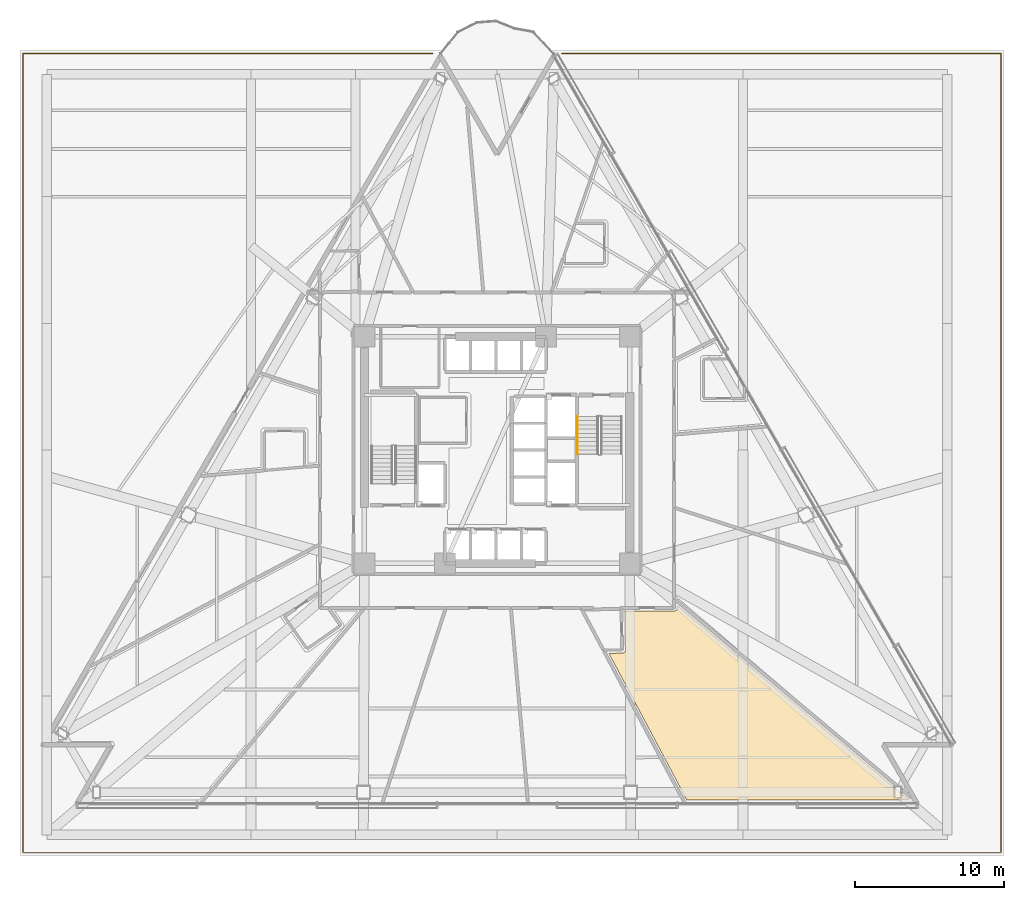
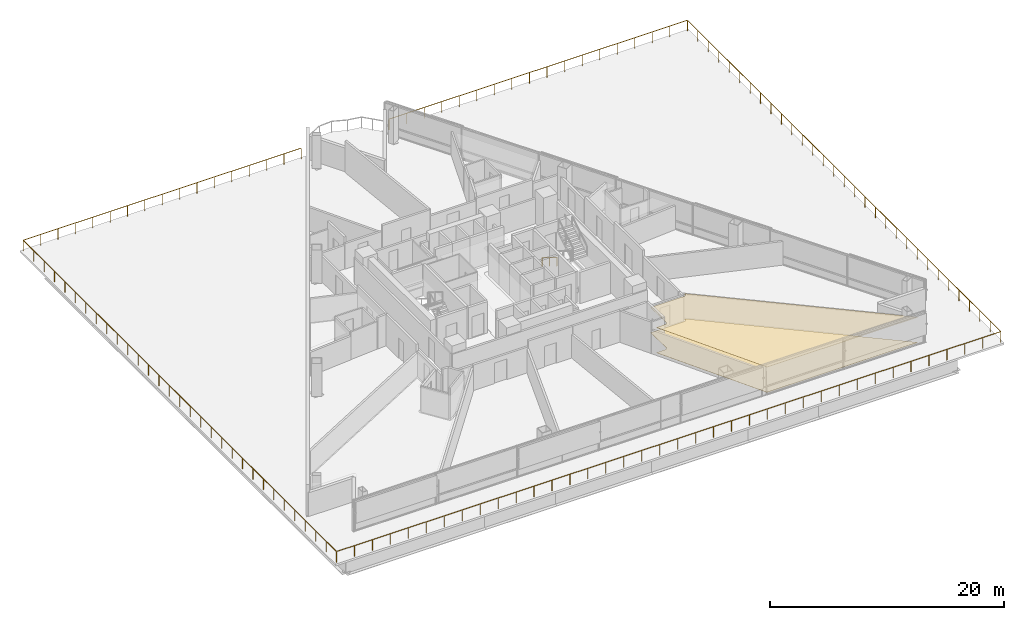
# One storey, part 17 of 19: 2 coverings, 2 railings.
"""IFC4 building model written with IfcOpenShell, lengths in metres."""

from ifc_helpers import new_model, si_unit, direction, frame, origin, origin_2d, place, context, subcontext, project, spatial, polyline, rectangle, outline, extrude, material, layer, layer_set, type_object, element, save


model = new_model("IFC4")

# Units and contexts
model_context = context("Model", 3, precision=1e-05, world=origin(), true_north=direction((0.0, 1.0)))
body_context = subcontext(model_context, "Body", "Model", "MODEL_VIEW")
ifc_project = project(units=[si_unit("LENGTHUNIT", "METRE"), si_unit("AREAUNIT", "SQUARE_METRE"), si_unit("VOLUMEUNIT", "CUBIC_METRE"), si_unit("PLANEANGLEUNIT", "RADIAN"), si_unit("MASSUNIT", "GRAM", prefix="KILO")], contexts=[model_context])

# Site, building, storey
site_placement = place(None, origin())
site = spatial("IfcSite", under=ifc_project, at=site_placement, CompositionType="ELEMENT")
building_placement = place(site_placement, origin())
building = spatial("IfcBuilding", under=site, at=building_placement, Name="Tharavind Bronze Gate", CompositionType="ELEMENT")
storey_placement = place(building_placement, frame((0.0, 0.0, 31.800048828125)))
storey = spatial("IfcBuildingStorey", under=building, at=storey_placement, Name="L06", CompositionType="ELEMENT", Elevation=31.800048828125)

# Coverings
ifc_material_1 = material(Name="Engineered Oak & Carpet Tile", Category="wood")
ifc_layer_1 = layer(ifc_material_1, 0.02490234375)
ifc_layer_set_1 = layer_set([ifc_layer_1], Name="Engineered Oak & Carpet Tile")
covering_type_1 = type_object("IfcCoveringType", Name="ENGINEERED TIMBER FLOORING", PredefinedType="FLOORING", material=ifc_layer_set_1)
covering_1_placement = place(storey_placement, origin())
element("IfcCovering", 1, at=covering_1_placement, inside=storey, type_object=covering_type_1, Name="L06-RM-14 floor finish", PredefinedType="FLOORING", context=body_context, shape_type="SweptSolid", body=[
    extrude(outline(polyline([(8.612060546875, -13.393798828125), (8.611328125, -13.415283203125), (8.608642578125, -13.436767578125), (8.603759765625, -13.4580078125), (8.596923828125, -13.478271484375), (8.588134765625, -13.498046875), (8.577392578125, -13.516845703125), (8.564697265625, -13.534423828125), (8.55078125, -13.550537109375), (8.534912109375, -13.5654296875), (8.517822265625, -13.57861328125), (8.49951171875, -13.590087890625), (8.480224609375, -13.599609375), (8.4599609375, -13.607421875), (8.439208984375, -13.613037109375), (8.41796875, -13.61669921875), (8.396484375, -13.6181640625), (7.499267578125, -13.635498046875), (12.733642578125, -23.47998046875), (27.64013671875, -23.47998046875), (12.10009765625, -10.440185546875), (12.10009765625, -10.579345703125), (12.099609375, -10.590087890625), (12.099609375, -10.5908203125), (12.09765625, -10.6123046875), (12.093505859375, -10.63330078125), (12.087158203125, -10.654052734375), (12.078857421875, -10.674072265625), (12.068603515625, -10.693115234375), (12.056640625, -10.7109375), (12.04296875, -10.727783203125), (12.027587890625, -10.742919921875), (12.010986328125, -10.756591796875), (11.9931640625, -10.768798828125), (11.97412109375, -10.77880859375), (11.9541015625, -10.787109375), (11.933349609375, -10.79345703125), (11.912353515625, -10.797607421875), (11.890869140625, -10.7998046875), (11.89013671875, -10.7998046875), (11.87939453125, -10.800048828125), (8.561767578125, -10.800048828125), (8.612060546875, -13.393798828125)])), origin(), (0.0, 0.0, 1.0), 0.02490234375),
])
ifc_material_2 = material(Name="Acoustic Gypsum Board", Category="gypsum")
ifc_layer_2 = layer(ifc_material_2, 0.030029296875)
ifc_layer_set_2 = layer_set([ifc_layer_2], Name="Acoustic Gypsum Board")
covering_type_2 = type_object("IfcCoveringType", Name="GYPSUM SUSPENDED CEILING", PredefinedType="CEILING", material=ifc_layer_set_2)
covering_2_placement = place(storey_placement, frame((0.0, 0.0, 2.625)))
element("IfcCovering", 2, at=covering_2_placement, inside=storey, type_object=covering_type_2, Name="L06-RM-14 suspended ceiling", PredefinedType="CEILING", context=body_context, shape_type="SweptSolid", body=[
    extrude(outline(polyline([(8.612060546875, -13.393798828125), (8.611328125, -13.415283203125), (8.608642578125, -13.436767578125), (8.603759765625, -13.4580078125), (8.596923828125, -13.478271484375), (8.588134765625, -13.498046875), (8.577392578125, -13.516845703125), (8.564697265625, -13.534423828125), (8.55078125, -13.550537109375), (8.534912109375, -13.5654296875), (8.517822265625, -13.57861328125), (8.49951171875, -13.590087890625), (8.480224609375, -13.599609375), (8.4599609375, -13.607421875), (8.439208984375, -13.613037109375), (8.41796875, -13.61669921875), (8.396484375, -13.6181640625), (7.499267578125, -13.635498046875), (12.733642578125, -23.47998046875), (27.64013671875, -23.47998046875), (12.10009765625, -10.440185546875), (12.10009765625, -10.579345703125), (12.099609375, -10.590087890625), (12.099609375, -10.5908203125), (12.09765625, -10.6123046875), (12.093505859375, -10.63330078125), (12.087158203125, -10.654052734375), (12.078857421875, -10.674072265625), (12.068603515625, -10.693115234375), (12.056640625, -10.7109375), (12.04296875, -10.727783203125), (12.027587890625, -10.742919921875), (12.010986328125, -10.756591796875), (11.9931640625, -10.768798828125), (11.97412109375, -10.77880859375), (11.9541015625, -10.787109375), (11.933349609375, -10.79345703125), (11.912353515625, -10.797607421875), (11.890869140625, -10.7998046875), (11.89013671875, -10.7998046875), (11.87939453125, -10.800048828125), (8.561767578125, -10.800048828125), (8.612060546875, -13.393798828125)])), origin(), (0.0, 0.0, 1.0), 0.034912109375),
])

# Railings
ifc_material_3 = material(Name="Brushed Bronze Alloy", Category="metal")
railing_type_1 = type_object("IfcRailingType", Name="STAIR BRONZE HANDRAIL 900", PredefinedType="HANDRAIL", material=ifc_material_3)
railing_1_placement = place(storey_placement, frame((5.39990234375, 2.25, 0.17236328125)))
element("IfcRailing", 3, at=railing_1_placement, inside=storey, type_object=railing_type_1, Name="L06 ST2 stair handrail 1", PredefinedType="HANDRAIL", context=body_context, shape_type="SweptSolid", body=[
    extrude(rectangle(XDim=0.048095703125, YDim=0.048095703125, at=origin_2d()), frame((0.0, -0.02734375, 0.892578125), z_axis=(0.0, -0.851400495292, 0.524516154772), x_axis=(1.0, 0.0, 0.0)), (0.0, 0.0, 1.0), 2.895751953125),
    extrude(rectangle(XDim=0.0400390625, YDim=0.0400390625, at=origin_2d()), origin(), (0.0, 0.0, 1.0), 0.847900390625),
    extrude(rectangle(XDim=0.0400390625, YDim=0.0400390625, at=origin_2d()), frame((0.0, -1.260009765625, 0.7763671875)), (0.0, 0.0, 1.0), 0.847900390625),
    extrude(rectangle(XDim=0.0400390625, YDim=0.0400390625, at=origin_2d()), frame((0.0, -2.52001953125, 1.552490234375)), (0.0, 0.0, 1.0), 0.847900390625),
])
ifc_material_4 = material(Name="Bronze Cap & Laminated Glass", Category="glass")
railing_type_2 = type_object("IfcRailingType", Name="TERRACE GLASS GUARD RAILING 1150", PredefinedType="GUARDRAIL", material=ifc_material_4)
railing_2_placement = place(storey_placement, frame((4.330078125, 26.60009765625, 0.0)))
element("IfcRailing", 4, at=railing_2_placement, inside=storey, type_object=railing_type_2, Name="L06 sky garden outer edge guard railing 1", PredefinedType="GUARDRAIL", context=body_context, shape_type="SweptSolid", body=[
    extrude(rectangle(XDim=0.048095703125, YDim=0.048095703125, at=origin_2d()), frame((0.031982421875, 0.0, 1.1259765625), z_axis=(1.0, 0.0, 0.0), x_axis=(0.0, 1.0, 0.0)), (0.0, 0.0, 1.0), 29.406005859375),
    extrude(rectangle(XDim=0.048095703125, YDim=0.048095703125, at=origin_2d()), frame((29.469970703125, -0.031982421875, 1.1259765625), z_axis=(0.0, -1.0, 0.0), x_axis=(1.0, 0.0, 0.0)), (0.0, 0.0, 1.0), 53.5361328125),
    extrude(rectangle(XDim=0.048095703125, YDim=0.048095703125, at=origin_2d()), frame((29.43798828125, -53.60009765625, 1.1259765625), z_axis=(-1.0, 0.0, 0.0), x_axis=(0.0, -1.0, 0.0)), (0.0, 0.0, 1.0), 65.5361328125),
    extrude(rectangle(XDim=0.048095703125, YDim=0.048095703125, at=origin_2d()), frame((-36.130126953125, -53.568115234375, 1.1259765625), z_axis=(0.0, 1.0, 0.0), x_axis=(-1.0, 0.0, 0.0)), (0.0, 0.0, 1.0), 53.5361328125),
    extrude(rectangle(XDim=0.048095703125, YDim=0.048095703125, at=origin_2d()), frame((-36.09814453125, 0.0, 1.1259765625), z_axis=(1.0, 0.0, 0.0), x_axis=(0.0, 1.0, 0.0)), (0.0, 0.0, 1.0), 27.406005859375),
    extrude(rectangle(XDim=0.0400390625, YDim=0.0400390625, at=origin_2d()), origin(), (0.0, 0.0, 1.0), 1.097900390625),
    extrude(rectangle(XDim=0.0400390625, YDim=0.0400390625, at=origin_2d()), frame((1.733642578125, 0.0, 0.0)), (0.0, 0.0, 1.0), 1.097900390625),
    extrude(rectangle(XDim=0.0400390625, YDim=0.0400390625, at=origin_2d()), frame((3.467041015625, 0.0, 0.0)), (0.0, 0.0, 1.0), 1.097900390625),
    extrude(rectangle(XDim=0.0400390625, YDim=0.0400390625, at=origin_2d()), frame((5.20068359375, 0.0, 0.0)), (0.0, 0.0, 1.0), 1.097900390625),
    extrude(rectangle(XDim=0.0400390625, YDim=0.0400390625, at=origin_2d()), frame((6.93408203125, 0.0, 0.0)), (0.0, 0.0, 1.0), 1.097900390625),
    extrude(rectangle(XDim=0.0400390625, YDim=0.0400390625, at=origin_2d()), frame((8.667724609375, 0.0, 0.0)), (0.0, 0.0, 1.0), 1.097900390625),
    extrude(rectangle(XDim=0.0400390625, YDim=0.0400390625, at=origin_2d()), frame((10.401123046875, 0.0, 0.0)), (0.0, 0.0, 1.0), 1.097900390625),
    extrude(rectangle(XDim=0.0400390625, YDim=0.0400390625, at=origin_2d()), frame((12.134765625, 0.0, 0.0)), (0.0, 0.0, 1.0), 1.097900390625),
    extrude(rectangle(XDim=0.0400390625, YDim=0.0400390625, at=origin_2d()), frame((13.8681640625, 0.0, 0.0)), (0.0, 0.0, 1.0), 1.097900390625),
    extrude(rectangle(XDim=0.0400390625, YDim=0.0400390625, at=origin_2d()), frame((15.601806640625, 0.0, 0.0)), (0.0, 0.0, 1.0), 1.097900390625),
    extrude(rectangle(XDim=0.0400390625, YDim=0.0400390625, at=origin_2d()), frame((17.335205078125, 0.0, 0.0)), (0.0, 0.0, 1.0), 1.097900390625),
    extrude(rectangle(XDim=0.0400390625, YDim=0.0400390625, at=origin_2d()), frame((19.06884765625, 0.0, 0.0)), (0.0, 0.0, 1.0), 1.097900390625),
    extrude(rectangle(XDim=0.0400390625, YDim=0.0400390625, at=origin_2d()), frame((20.80224609375, 0.0, 0.0)), (0.0, 0.0, 1.0), 1.097900390625),
    extrude(rectangle(XDim=0.0400390625, YDim=0.0400390625, at=origin_2d()), frame((22.535888671875, 0.0, 0.0)), (0.0, 0.0, 1.0), 1.097900390625),
    extrude(rectangle(XDim=0.0400390625, YDim=0.0400390625, at=origin_2d()), frame((24.269287109375, 0.0, 0.0)), (0.0, 0.0, 1.0), 1.097900390625),
    extrude(rectangle(XDim=0.0400390625, YDim=0.0400390625, at=origin_2d()), frame((26.0029296875, 0.0, 0.0)), (0.0, 0.0, 1.0), 1.097900390625),
    extrude(rectangle(XDim=0.0400390625, YDim=0.0400390625, at=origin_2d()), frame((27.736328125, 0.0, 0.0)), (0.0, 0.0, 1.0), 1.097900390625),
    extrude(rectangle(XDim=0.0400390625, YDim=0.0400390625, at=origin_2d()), frame((29.469970703125, 0.0, 0.0)), (0.0, 0.0, 1.0), 1.097900390625),
    extrude(rectangle(XDim=0.0400390625, YDim=0.0400390625, at=origin_2d()), frame((29.469970703125, -1.78662109375, 0.0)), (0.0, 0.0, 1.0), 1.097900390625),
    extrude(rectangle(XDim=0.0400390625, YDim=0.0400390625, at=origin_2d()), frame((29.469970703125, -3.5732421875, 0.0)), (0.0, 0.0, 1.0), 1.097900390625),
    extrude(rectangle(XDim=0.0400390625, YDim=0.0400390625, at=origin_2d()), frame((29.469970703125, -5.360107421875, 0.0)), (0.0, 0.0, 1.0), 1.097900390625),
    extrude(rectangle(XDim=0.0400390625, YDim=0.0400390625, at=origin_2d()), frame((29.469970703125, -7.146728515625, 0.0)), (0.0, 0.0, 1.0), 1.097900390625),
    extrude(rectangle(XDim=0.0400390625, YDim=0.0400390625, at=origin_2d()), frame((29.469970703125, -8.933349609375, 0.0)), (0.0, 0.0, 1.0), 1.097900390625),
    extrude(rectangle(XDim=0.0400390625, YDim=0.0400390625, at=origin_2d()), frame((29.469970703125, -10.719970703125, 0.0)), (0.0, 0.0, 1.0), 1.097900390625),
    extrude(rectangle(XDim=0.0400390625, YDim=0.0400390625, at=origin_2d()), frame((29.469970703125, -12.506591796875, 0.0)), (0.0, 0.0, 1.0), 1.097900390625),
    extrude(rectangle(XDim=0.0400390625, YDim=0.0400390625, at=origin_2d()), frame((29.469970703125, -14.29345703125, 0.0)), (0.0, 0.0, 1.0), 1.097900390625),
    extrude(rectangle(XDim=0.0400390625, YDim=0.0400390625, at=origin_2d()), frame((29.469970703125, -16.080078125, 0.0)), (0.0, 0.0, 1.0), 1.097900390625),
    extrude(rectangle(XDim=0.0400390625, YDim=0.0400390625, at=origin_2d()), frame((29.469970703125, -17.86669921875, 0.0)), (0.0, 0.0, 1.0), 1.097900390625),
    extrude(rectangle(XDim=0.0400390625, YDim=0.0400390625, at=origin_2d()), frame((29.469970703125, -19.6533203125, 0.0)), (0.0, 0.0, 1.0), 1.097900390625),
    extrude(rectangle(XDim=0.0400390625, YDim=0.0400390625, at=origin_2d()), frame((29.469970703125, -21.43994140625, 0.0)), (0.0, 0.0, 1.0), 1.097900390625),
    extrude(rectangle(XDim=0.0400390625, YDim=0.0400390625, at=origin_2d()), frame((29.469970703125, -23.226806640625, 0.0)), (0.0, 0.0, 1.0), 1.097900390625),
    extrude(rectangle(XDim=0.0400390625, YDim=0.0400390625, at=origin_2d()), frame((29.469970703125, -25.013427734375, 0.0)), (0.0, 0.0, 1.0), 1.097900390625),
    extrude(rectangle(XDim=0.0400390625, YDim=0.0400390625, at=origin_2d()), frame((29.469970703125, -26.800048828125, 0.0)), (0.0, 0.0, 1.0), 1.097900390625),
    extrude(rectangle(XDim=0.0400390625, YDim=0.0400390625, at=origin_2d()), frame((29.469970703125, -28.586669921875, 0.0)), (0.0, 0.0, 1.0), 1.097900390625),
    extrude(rectangle(XDim=0.0400390625, YDim=0.0400390625, at=origin_2d()), frame((29.469970703125, -30.373291015625, 0.0)), (0.0, 0.0, 1.0), 1.097900390625),
    extrude(rectangle(XDim=0.0400390625, YDim=0.0400390625, at=origin_2d()), frame((29.469970703125, -32.16015625, 0.0)), (0.0, 0.0, 1.0), 1.097900390625),
    extrude(rectangle(XDim=0.0400390625, YDim=0.0400390625, at=origin_2d()), frame((29.469970703125, -33.94677734375, 0.0)), (0.0, 0.0, 1.0), 1.097900390625),
    extrude(rectangle(XDim=0.0400390625, YDim=0.0400390625, at=origin_2d()), frame((29.469970703125, -35.7333984375, 0.0)), (0.0, 0.0, 1.0), 1.097900390625),
    extrude(rectangle(XDim=0.0400390625, YDim=0.0400390625, at=origin_2d()), frame((29.469970703125, -37.52001953125, 0.0)), (0.0, 0.0, 1.0), 1.097900390625),
    extrude(rectangle(XDim=0.0400390625, YDim=0.0400390625, at=origin_2d()), frame((29.469970703125, -39.306640625, 0.0)), (0.0, 0.0, 1.0), 1.097900390625),
    extrude(rectangle(XDim=0.0400390625, YDim=0.0400390625, at=origin_2d()), frame((29.469970703125, -41.093505859375, 0.0)), (0.0, 0.0, 1.0), 1.097900390625),
    extrude(rectangle(XDim=0.0400390625, YDim=0.0400390625, at=origin_2d()), frame((29.469970703125, -42.880126953125, 0.0)), (0.0, 0.0, 1.0), 1.097900390625),
    extrude(rectangle(XDim=0.0400390625, YDim=0.0400390625, at=origin_2d()), frame((29.469970703125, -44.666748046875, 0.0)), (0.0, 0.0, 1.0), 1.097900390625),
    extrude(rectangle(XDim=0.0400390625, YDim=0.0400390625, at=origin_2d()), frame((29.469970703125, -46.453369140625, 0.0)), (0.0, 0.0, 1.0), 1.097900390625),
    extrude(rectangle(XDim=0.0400390625, YDim=0.0400390625, at=origin_2d()), frame((29.469970703125, -48.239990234375, 0.0)), (0.0, 0.0, 1.0), 1.097900390625),
    extrude(rectangle(XDim=0.0400390625, YDim=0.0400390625, at=origin_2d()), frame((29.469970703125, -50.02685546875, 0.0)), (0.0, 0.0, 1.0), 1.097900390625),
    extrude(rectangle(XDim=0.0400390625, YDim=0.0400390625, at=origin_2d()), frame((29.469970703125, -51.8134765625, 0.0)), (0.0, 0.0, 1.0), 1.097900390625),
    extrude(rectangle(XDim=0.0400390625, YDim=0.0400390625, at=origin_2d()), frame((29.469970703125, -53.60009765625, 0.0)), (0.0, 0.0, 1.0), 1.097900390625),
    extrude(rectangle(XDim=0.0400390625, YDim=0.0400390625, at=origin_2d()), frame((27.697021484375, -53.60009765625, 0.0)), (0.0, 0.0, 1.0), 1.097900390625),
    extrude(rectangle(XDim=0.0400390625, YDim=0.0400390625, at=origin_2d()), frame((25.924072265625, -53.60009765625, 0.0)), (0.0, 0.0, 1.0), 1.097900390625),
    extrude(rectangle(XDim=0.0400390625, YDim=0.0400390625, at=origin_2d()), frame((24.151123046875, -53.60009765625, 0.0)), (0.0, 0.0, 1.0), 1.097900390625),
    extrude(rectangle(XDim=0.0400390625, YDim=0.0400390625, at=origin_2d()), frame((22.378173828125, -53.60009765625, 0.0)), (0.0, 0.0, 1.0), 1.097900390625),
    extrude(rectangle(XDim=0.0400390625, YDim=0.0400390625, at=origin_2d()), frame((20.60498046875, -53.60009765625, 0.0)), (0.0, 0.0, 1.0), 1.097900390625),
    extrude(rectangle(XDim=0.0400390625, YDim=0.0400390625, at=origin_2d()), frame((18.83203125, -53.60009765625, 0.0)), (0.0, 0.0, 1.0), 1.097900390625),
    extrude(rectangle(XDim=0.0400390625, YDim=0.0400390625, at=origin_2d()), frame((17.05908203125, -53.60009765625, 0.0)), (0.0, 0.0, 1.0), 1.097900390625),
    extrude(rectangle(XDim=0.0400390625, YDim=0.0400390625, at=origin_2d()), frame((15.2861328125, -53.60009765625, 0.0)), (0.0, 0.0, 1.0), 1.097900390625),
    extrude(rectangle(XDim=0.0400390625, YDim=0.0400390625, at=origin_2d()), frame((13.51318359375, -53.60009765625, 0.0)), (0.0, 0.0, 1.0), 1.097900390625),
    extrude(rectangle(XDim=0.0400390625, YDim=0.0400390625, at=origin_2d()), frame((11.740234375, -53.60009765625, 0.0)), (0.0, 0.0, 1.0), 1.097900390625),
    extrude(rectangle(XDim=0.0400390625, YDim=0.0400390625, at=origin_2d()), frame((9.96728515625, -53.60009765625, 0.0)), (0.0, 0.0, 1.0), 1.097900390625),
    extrude(rectangle(XDim=0.0400390625, YDim=0.0400390625, at=origin_2d()), frame((8.1943359375, -53.60009765625, 0.0)), (0.0, 0.0, 1.0), 1.097900390625),
    extrude(rectangle(XDim=0.0400390625, YDim=0.0400390625, at=origin_2d()), frame((6.42138671875, -53.60009765625, 0.0)), (0.0, 0.0, 1.0), 1.097900390625),
    extrude(rectangle(XDim=0.0400390625, YDim=0.0400390625, at=origin_2d()), frame((4.648193359375, -53.60009765625, 0.0)), (0.0, 0.0, 1.0), 1.097900390625),
    extrude(rectangle(XDim=0.0400390625, YDim=0.0400390625, at=origin_2d()), frame((2.875244140625, -53.60009765625, 0.0)), (0.0, 0.0, 1.0), 1.097900390625),
    extrude(rectangle(XDim=0.0400390625, YDim=0.0400390625, at=origin_2d()), frame((1.102294921875, -53.60009765625, 0.0)), (0.0, 0.0, 1.0), 1.097900390625),
    extrude(rectangle(XDim=0.0400390625, YDim=0.0400390625, at=origin_2d()), frame((-0.670654296875, -53.60009765625, 0.0)), (0.0, 0.0, 1.0), 1.097900390625),
    extrude(rectangle(XDim=0.0400390625, YDim=0.0400390625, at=origin_2d()), frame((-2.443603515625, -53.60009765625, 0.0)), (0.0, 0.0, 1.0), 1.097900390625),
    extrude(rectangle(XDim=0.0400390625, YDim=0.0400390625, at=origin_2d()), frame((-4.216552734375, -53.60009765625, 0.0)), (0.0, 0.0, 1.0), 1.097900390625),
    extrude(rectangle(XDim=0.0400390625, YDim=0.0400390625, at=origin_2d()), frame((-5.989501953125, -53.60009765625, 0.0)), (0.0, 0.0, 1.0), 1.097900390625),
    extrude(rectangle(XDim=0.0400390625, YDim=0.0400390625, at=origin_2d()), frame((-7.762451171875, -53.60009765625, 0.0)), (0.0, 0.0, 1.0), 1.097900390625),
    extrude(rectangle(XDim=0.0400390625, YDim=0.0400390625, at=origin_2d()), frame((-9.535400390625, -53.60009765625, 0.0)), (0.0, 0.0, 1.0), 1.097900390625),
    extrude(rectangle(XDim=0.0400390625, YDim=0.0400390625, at=origin_2d()), frame((-11.308349609375, -53.60009765625, 0.0)), (0.0, 0.0, 1.0), 1.097900390625),
    extrude(rectangle(XDim=0.0400390625, YDim=0.0400390625, at=origin_2d()), frame((-13.08154296875, -53.60009765625, 0.0)), (0.0, 0.0, 1.0), 1.097900390625),
    extrude(rectangle(XDim=0.0400390625, YDim=0.0400390625, at=origin_2d()), frame((-14.8544921875, -53.60009765625, 0.0)), (0.0, 0.0, 1.0), 1.097900390625),
    extrude(rectangle(XDim=0.0400390625, YDim=0.0400390625, at=origin_2d()), frame((-16.62744140625, -53.60009765625, 0.0)), (0.0, 0.0, 1.0), 1.097900390625),
    extrude(rectangle(XDim=0.0400390625, YDim=0.0400390625, at=origin_2d()), frame((-18.400390625, -53.60009765625, 0.0)), (0.0, 0.0, 1.0), 1.097900390625),
    extrude(rectangle(XDim=0.0400390625, YDim=0.0400390625, at=origin_2d()), frame((-20.17333984375, -53.60009765625, 0.0)), (0.0, 0.0, 1.0), 1.097900390625),
    extrude(rectangle(XDim=0.0400390625, YDim=0.0400390625, at=origin_2d()), frame((-21.9462890625, -53.60009765625, 0.0)), (0.0, 0.0, 1.0), 1.097900390625),
    extrude(rectangle(XDim=0.0400390625, YDim=0.0400390625, at=origin_2d()), frame((-23.71923828125, -53.60009765625, 0.0)), (0.0, 0.0, 1.0), 1.097900390625),
    extrude(rectangle(XDim=0.0400390625, YDim=0.0400390625, at=origin_2d()), frame((-25.4921875, -53.60009765625, 0.0)), (0.0, 0.0, 1.0), 1.097900390625),
    extrude(rectangle(XDim=0.0400390625, YDim=0.0400390625, at=origin_2d()), frame((-27.26513671875, -53.60009765625, 0.0)), (0.0, 0.0, 1.0), 1.097900390625),
    extrude(rectangle(XDim=0.0400390625, YDim=0.0400390625, at=origin_2d()), frame((-29.038330078125, -53.60009765625, 0.0)), (0.0, 0.0, 1.0), 1.097900390625),
    extrude(rectangle(XDim=0.0400390625, YDim=0.0400390625, at=origin_2d()), frame((-30.811279296875, -53.60009765625, 0.0)), (0.0, 0.0, 1.0), 1.097900390625),
    extrude(rectangle(XDim=0.0400390625, YDim=0.0400390625, at=origin_2d()), frame((-32.584228515625, -53.60009765625, 0.0)), (0.0, 0.0, 1.0), 1.097900390625),
    extrude(rectangle(XDim=0.0400390625, YDim=0.0400390625, at=origin_2d()), frame((-34.357177734375, -53.60009765625, 0.0)), (0.0, 0.0, 1.0), 1.097900390625),
    extrude(rectangle(XDim=0.0400390625, YDim=0.0400390625, at=origin_2d()), frame((-36.130126953125, -53.60009765625, 0.0)), (0.0, 0.0, 1.0), 1.097900390625),
    extrude(rectangle(XDim=0.0400390625, YDim=0.0400390625, at=origin_2d()), frame((-36.130126953125, -51.8134765625, 0.0)), (0.0, 0.0, 1.0), 1.097900390625),
    extrude(rectangle(XDim=0.0400390625, YDim=0.0400390625, at=origin_2d()), frame((-36.130126953125, -50.02685546875, 0.0)), (0.0, 0.0, 1.0), 1.097900390625),
    extrude(rectangle(XDim=0.0400390625, YDim=0.0400390625, at=origin_2d()), frame((-36.130126953125, -48.239990234375, 0.0)), (0.0, 0.0, 1.0), 1.097900390625),
    extrude(rectangle(XDim=0.0400390625, YDim=0.0400390625, at=origin_2d()), frame((-36.130126953125, -46.453369140625, 0.0)), (0.0, 0.0, 1.0), 1.097900390625),
    extrude(rectangle(XDim=0.0400390625, YDim=0.0400390625, at=origin_2d()), frame((-36.130126953125, -44.666748046875, 0.0)), (0.0, 0.0, 1.0), 1.097900390625),
    extrude(rectangle(XDim=0.0400390625, YDim=0.0400390625, at=origin_2d()), frame((-36.130126953125, -42.880126953125, 0.0)), (0.0, 0.0, 1.0), 1.097900390625),
    extrude(rectangle(XDim=0.0400390625, YDim=0.0400390625, at=origin_2d()), frame((-36.130126953125, -41.093505859375, 0.0)), (0.0, 0.0, 1.0), 1.097900390625),
    extrude(rectangle(XDim=0.0400390625, YDim=0.0400390625, at=origin_2d()), frame((-36.130126953125, -39.306640625, 0.0)), (0.0, 0.0, 1.0), 1.097900390625),
    extrude(rectangle(XDim=0.0400390625, YDim=0.0400390625, at=origin_2d()), frame((-36.130126953125, -37.52001953125, 0.0)), (0.0, 0.0, 1.0), 1.097900390625),
    extrude(rectangle(XDim=0.0400390625, YDim=0.0400390625, at=origin_2d()), frame((-36.130126953125, -35.7333984375, 0.0)), (0.0, 0.0, 1.0), 1.097900390625),
    extrude(rectangle(XDim=0.0400390625, YDim=0.0400390625, at=origin_2d()), frame((-36.130126953125, -33.94677734375, 0.0)), (0.0, 0.0, 1.0), 1.097900390625),
    extrude(rectangle(XDim=0.0400390625, YDim=0.0400390625, at=origin_2d()), frame((-36.130126953125, -32.16015625, 0.0)), (0.0, 0.0, 1.0), 1.097900390625),
    extrude(rectangle(XDim=0.0400390625, YDim=0.0400390625, at=origin_2d()), frame((-36.130126953125, -30.373291015625, 0.0)), (0.0, 0.0, 1.0), 1.097900390625),
    extrude(rectangle(XDim=0.0400390625, YDim=0.0400390625, at=origin_2d()), frame((-36.130126953125, -28.586669921875, 0.0)), (0.0, 0.0, 1.0), 1.097900390625),
    extrude(rectangle(XDim=0.0400390625, YDim=0.0400390625, at=origin_2d()), frame((-36.130126953125, -26.800048828125, 0.0)), (0.0, 0.0, 1.0), 1.097900390625),
    extrude(rectangle(XDim=0.0400390625, YDim=0.0400390625, at=origin_2d()), frame((-36.130126953125, -25.013427734375, 0.0)), (0.0, 0.0, 1.0), 1.097900390625),
    extrude(rectangle(XDim=0.0400390625, YDim=0.0400390625, at=origin_2d()), frame((-36.130126953125, -23.226806640625, 0.0)), (0.0, 0.0, 1.0), 1.097900390625),
    extrude(rectangle(XDim=0.0400390625, YDim=0.0400390625, at=origin_2d()), frame((-36.130126953125, -21.43994140625, 0.0)), (0.0, 0.0, 1.0), 1.097900390625),
    extrude(rectangle(XDim=0.0400390625, YDim=0.0400390625, at=origin_2d()), frame((-36.130126953125, -19.6533203125, 0.0)), (0.0, 0.0, 1.0), 1.097900390625),
    extrude(rectangle(XDim=0.0400390625, YDim=0.0400390625, at=origin_2d()), frame((-36.130126953125, -17.86669921875, 0.0)), (0.0, 0.0, 1.0), 1.097900390625),
    extrude(rectangle(XDim=0.0400390625, YDim=0.0400390625, at=origin_2d()), frame((-36.130126953125, -16.080078125, 0.0)), (0.0, 0.0, 1.0), 1.097900390625),
    extrude(rectangle(XDim=0.0400390625, YDim=0.0400390625, at=origin_2d()), frame((-36.130126953125, -14.29345703125, 0.0)), (0.0, 0.0, 1.0), 1.097900390625),
    extrude(rectangle(XDim=0.0400390625, YDim=0.0400390625, at=origin_2d()), frame((-36.130126953125, -12.506591796875, 0.0)), (0.0, 0.0, 1.0), 1.097900390625),
    extrude(rectangle(XDim=0.0400390625, YDim=0.0400390625, at=origin_2d()), frame((-36.130126953125, -10.719970703125, 0.0)), (0.0, 0.0, 1.0), 1.097900390625),
    extrude(rectangle(XDim=0.0400390625, YDim=0.0400390625, at=origin_2d()), frame((-36.130126953125, -8.933349609375, 0.0)), (0.0, 0.0, 1.0), 1.097900390625),
    extrude(rectangle(XDim=0.0400390625, YDim=0.0400390625, at=origin_2d()), frame((-36.130126953125, -7.146728515625, 0.0)), (0.0, 0.0, 1.0), 1.097900390625),
    extrude(rectangle(XDim=0.0400390625, YDim=0.0400390625, at=origin_2d()), frame((-36.130126953125, -5.360107421875, 0.0)), (0.0, 0.0, 1.0), 1.097900390625),
    extrude(rectangle(XDim=0.0400390625, YDim=0.0400390625, at=origin_2d()), frame((-36.130126953125, -3.5732421875, 0.0)), (0.0, 0.0, 1.0), 1.097900390625),
    extrude(rectangle(XDim=0.0400390625, YDim=0.0400390625, at=origin_2d()), frame((-36.130126953125, -1.78662109375, 0.0)), (0.0, 0.0, 1.0), 1.097900390625),
    extrude(rectangle(XDim=0.0400390625, YDim=0.0400390625, at=origin_2d()), frame((-36.130126953125, 0.0, 0.0)), (0.0, 0.0, 1.0), 1.097900390625),
    extrude(rectangle(XDim=0.0400390625, YDim=0.0400390625, at=origin_2d()), frame((-34.413330078125, 0.0, 0.0)), (0.0, 0.0, 1.0), 1.097900390625),
    extrude(rectangle(XDim=0.0400390625, YDim=0.0400390625, at=origin_2d()), frame((-32.6962890625, 0.0, 0.0)), (0.0, 0.0, 1.0), 1.097900390625),
    extrude(rectangle(XDim=0.0400390625, YDim=0.0400390625, at=origin_2d()), frame((-30.9794921875, 0.0, 0.0)), (0.0, 0.0, 1.0), 1.097900390625),
    extrude(rectangle(XDim=0.0400390625, YDim=0.0400390625, at=origin_2d()), frame((-29.2626953125, 0.0, 0.0)), (0.0, 0.0, 1.0), 1.097900390625),
    extrude(rectangle(XDim=0.0400390625, YDim=0.0400390625, at=origin_2d()), frame((-27.545654296875, 0.0, 0.0)), (0.0, 0.0, 1.0), 1.097900390625),
    extrude(rectangle(XDim=0.0400390625, YDim=0.0400390625, at=origin_2d()), frame((-25.828857421875, 0.0, 0.0)), (0.0, 0.0, 1.0), 1.097900390625),
    extrude(rectangle(XDim=0.0400390625, YDim=0.0400390625, at=origin_2d()), frame((-24.112060546875, 0.0, 0.0)), (0.0, 0.0, 1.0), 1.097900390625),
    extrude(rectangle(XDim=0.0400390625, YDim=0.0400390625, at=origin_2d()), frame((-22.39501953125, 0.0, 0.0)), (0.0, 0.0, 1.0), 1.097900390625),
    extrude(rectangle(XDim=0.0400390625, YDim=0.0400390625, at=origin_2d()), frame((-20.67822265625, 0.0, 0.0)), (0.0, 0.0, 1.0), 1.097900390625),
    extrude(rectangle(XDim=0.0400390625, YDim=0.0400390625, at=origin_2d()), frame((-18.96142578125, 0.0, 0.0)), (0.0, 0.0, 1.0), 1.097900390625),
    extrude(rectangle(XDim=0.0400390625, YDim=0.0400390625, at=origin_2d()), frame((-17.24462890625, 0.0, 0.0)), (0.0, 0.0, 1.0), 1.097900390625),
    extrude(rectangle(XDim=0.0400390625, YDim=0.0400390625, at=origin_2d()), frame((-15.527587890625, 0.0, 0.0)), (0.0, 0.0, 1.0), 1.097900390625),
    extrude(rectangle(XDim=0.0400390625, YDim=0.0400390625, at=origin_2d()), frame((-13.810791015625, 0.0, 0.0)), (0.0, 0.0, 1.0), 1.097900390625),
    extrude(rectangle(XDim=0.0400390625, YDim=0.0400390625, at=origin_2d()), frame((-12.093994140625, 0.0, 0.0)), (0.0, 0.0, 1.0), 1.097900390625),
    extrude(rectangle(XDim=0.0400390625, YDim=0.0400390625, at=origin_2d()), frame((-10.376953125, 0.0, 0.0)), (0.0, 0.0, 1.0), 1.097900390625),
    extrude(rectangle(XDim=0.0400390625, YDim=0.0400390625, at=origin_2d()), frame((-8.66015625, 0.0, 0.0)), (0.0, 0.0, 1.0), 1.097900390625),
])

save(model, "model.ifc")
